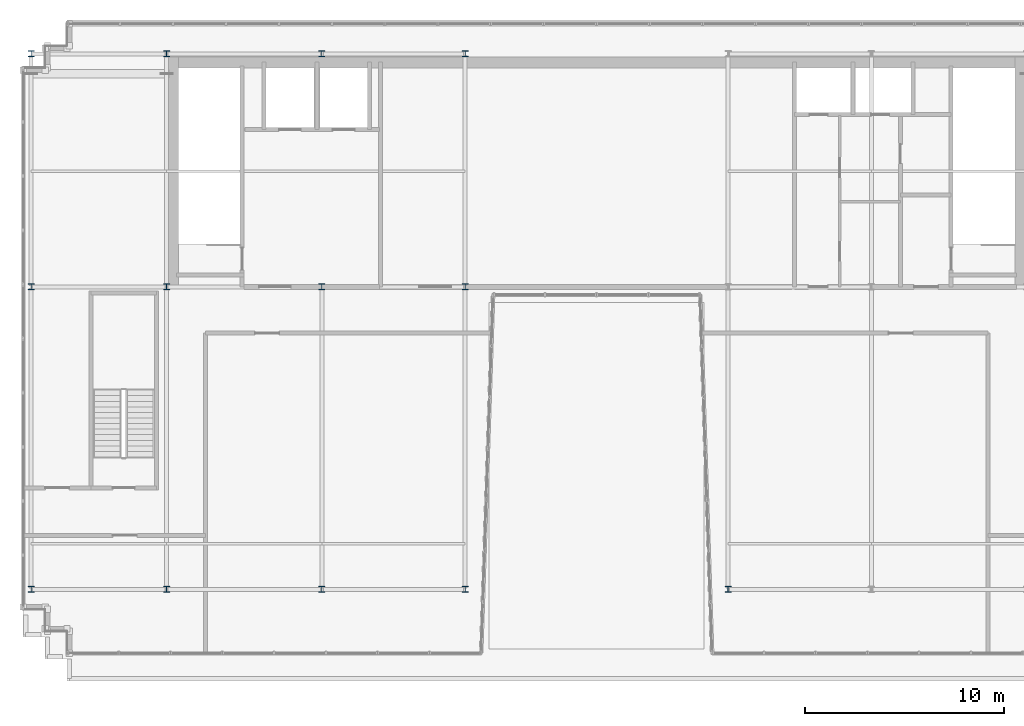
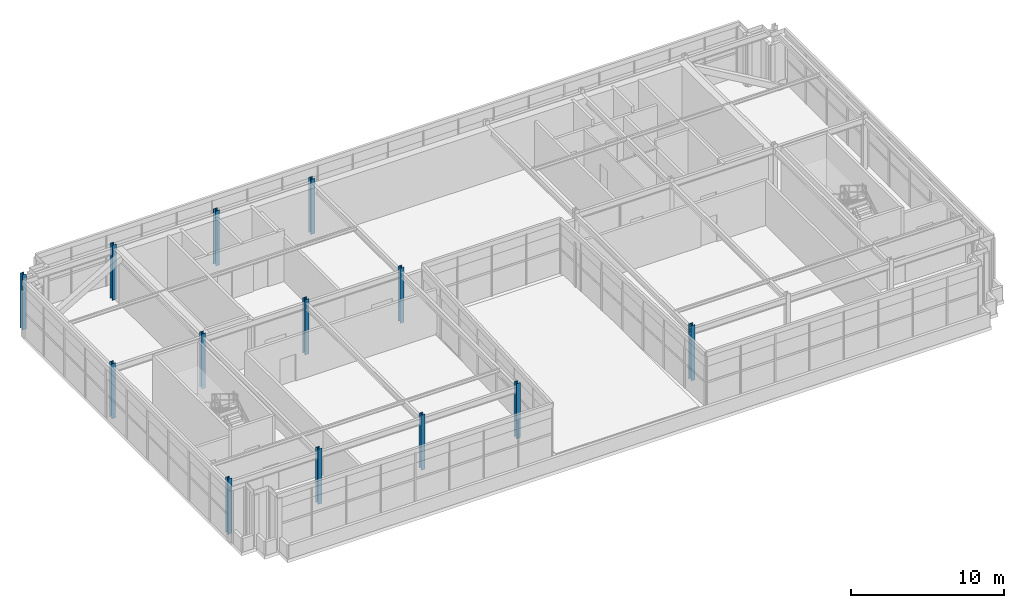
# One storey, part 1 of 37: 13 columns.
"""IFC4 building model written with IfcOpenShell, lengths in metres."""

from ifc_helpers import new_model, si_unit, direction, frame, origin, origin_2d, place, context, subcontext, project, spatial, i_section, extrude, source, transform, mapped, material, material_profile, profile_set, type_object, element, save


model = new_model("IFC4")

# Units and contexts
model_context = context("Model", 3, precision=1e-05, world=origin(), true_north=direction((0.0, 1.0)))
body_context = subcontext(model_context, "Body", "Model", "MODEL_VIEW")
ifc_project = project(units=[si_unit("LENGTHUNIT", "METRE"), si_unit("AREAUNIT", "SQUARE_METRE"), si_unit("VOLUMEUNIT", "CUBIC_METRE"), si_unit("PLANEANGLEUNIT", "RADIAN"), si_unit("MASSUNIT", "GRAM", prefix="KILO")], contexts=[model_context])

# Site, building, storey
site_placement = place(None, origin())
site = spatial("IfcSite", under=ifc_project, at=site_placement, CompositionType="ELEMENT")
building_placement = place(site_placement, origin())
building = spatial("IfcBuilding", under=site, at=building_placement, Name="Trelvane Seafront Commons", CompositionType="ELEMENT")
storey_placement = place(building_placement, frame((0.0, 0.0, 303.5)))
storey = spatial("IfcBuildingStorey", under=building, at=storey_placement, Name="L79", CompositionType="ELEMENT", Elevation=303.5)

# Columns
ifc_material = material(Name="Steel SM355 (S355)", Category="steel")
ifc_material_profile = material_profile(ifc_material, i_section(OverallWidth=0.300048828125, OverallDepth=0.300048828125, WebThickness=0.014892578125, FlangeThickness=0.02392578125, at=origin_2d()), Name="HD-300x300x15x24")
ifc_profile_set = profile_set([ifc_material_profile], Name="Steel SM355 (S355)")
column_type = type_object("IfcColumnType", Name="STR-CROWN-FRAME-COL", PredefinedType="COLUMN", material=ifc_profile_set)
shared_shape = source(origin(), body_context, "Body", "SweptSolid", [
    extrude(i_section(OverallWidth=0.300048828125, OverallDepth=0.300048828125, WebThickness=0.014892578125, FlangeThickness=0.02392578125, at=origin_2d()), origin(), (0.0, 0.0, 1.0), 4.39990234375),
])
for number, where, z_axis, x_axis, name in (
    (1, (8.800048828125, 18.199951171875, 0.0), (0.0, 0.0, 1.0), (1.0, 0.0, 0.0), "L79 CROWN FRAME Column CRN-1-1"),
    (2, (8.800048828125, 33.39990234375, 0.0), (0.0, 0.0, 1.0), (1.0, 0.0, 0.0), "L79 CROWN FRAME Column CRN-1-2"),
    (3, (8.800048828125, 45.10009765625, 0.0), (0.0, 0.0, 1.0), (1.0, 0.0, 0.0), "L79 CROWN FRAME Column CRN-1-3"),
    (4, (15.60009765625, 18.199951171875, 0.0), (0.0, 0.0, 1.0), (1.0, 0.0, 0.0), "L79 CROWN FRAME Column CRN-2-1"),
    (5, (15.60009765625, 33.39990234375, 0.0), (0.0, 0.0, 1.0), (1.0, 0.0, 0.0), "L79 CROWN FRAME Column CRN-2-2"),
    (6, (15.60009765625, 45.10009765625, 0.0), (0.0, 0.0, 1.0), (1.0, 0.0, 0.0), "L79 CROWN FRAME Column CRN-2-3"),
    (7, (23.39990234375, 18.199951171875, 0.0), (0.0, 0.0, 1.0), (1.0, 0.0, 0.0), "L79 CROWN FRAME Column CRN-3-1"),
    (8, (23.39990234375, 33.39990234375, 0.0), (0.0, 0.0, 1.0), (1.0, 0.0, 0.0), "L79 CROWN FRAME Column CRN-3-2"),
    (9, (23.39990234375, 45.10009765625, 0.0), (0.0, 0.0, 1.0), (1.0, 0.0, 0.0), "L79 CROWN FRAME Column CRN-3-3"),
    (10, (30.60009765625, 18.199951171875, 0.0), (0.0, 0.0, 1.0), (1.0, 0.0, 0.0), "L79 CROWN FRAME Column CRN-4-1"),
    (11, (30.60009765625, 33.39990234375, 0.0), (0.0, 0.0, 1.0), (1.0, 0.0, 0.0), "L79 CROWN FRAME Column CRN-4-2"),
    (12, (30.60009765625, 45.10009765625, 0.0), (0.0, 0.0, 1.0), (1.0, 0.0, 0.0), "L79 CROWN FRAME Column CRN-4-3"),
    (13, (43.800048828125, 18.199951171875, 0.0), (0.0, 0.0, 1.0), (1.0, 0.0, 0.0), "L79 CROWN FRAME Column CRN-5-1"),
):
    element("IfcColumn", number, at=place(storey_placement, frame(where, z_axis=z_axis, x_axis=x_axis)), inside=storey, type_object=column_type, Name=name, PredefinedType="COLUMN", context=body_context, shape_type="MappedRepresentation", body=[
        mapped(shared_shape, transform((0.0, 0.0, 0.0), x_axis=(1.0, 0.0, 0.0), y_axis=(0.0, 1.0, 0.0), z_axis=(0.0, 0.0, 1.0), scale=1.0)),
    ])

save(model, "model.ifc")
